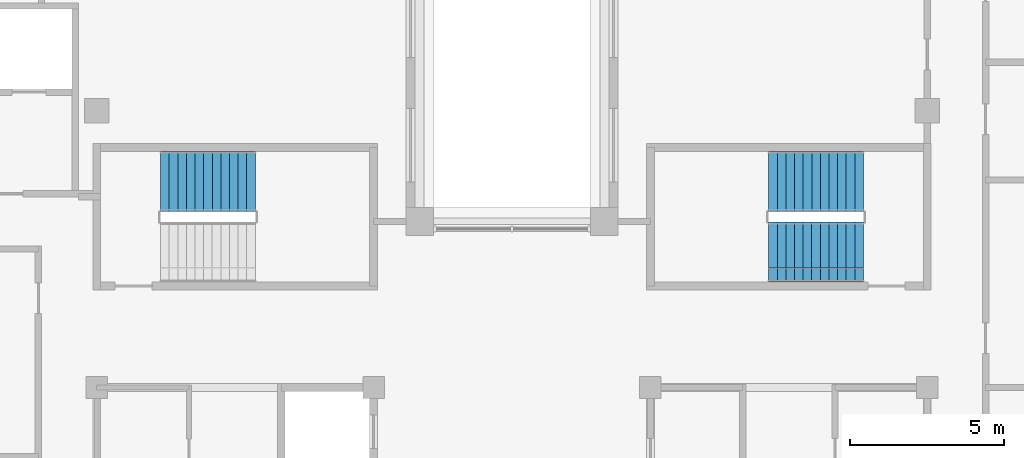
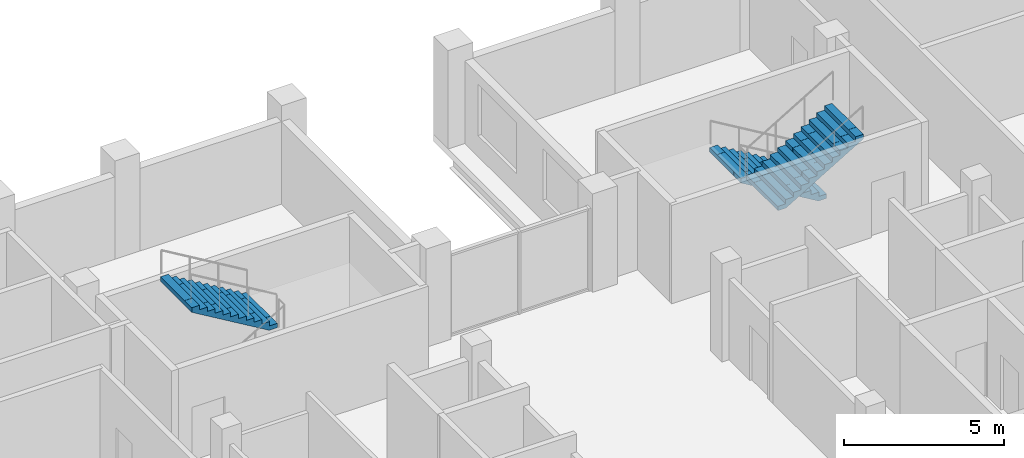
# One storey, part 12 of 13: 3 stair flights, 2 elements without a shape of their own.
"""IFC4 building model written with IfcOpenShell, lengths in metres."""

from ifc_helpers import new_model, si_unit, direction, frame, origin, place, context, subcontext, project, spatial, polyline, outline, extrude, material, type_object, element, aggregate, save


model = new_model("IFC4")

# Units and contexts
model_context = context("Model", 3, precision=1e-05, world=origin(), true_north=direction((0.0, 1.0)))
body_context = subcontext(model_context, "Body", "Model", "MODEL_VIEW")
ifc_project = project(units=[si_unit("LENGTHUNIT", "METRE"), si_unit("AREAUNIT", "SQUARE_METRE"), si_unit("VOLUMEUNIT", "CUBIC_METRE"), si_unit("PLANEANGLEUNIT", "RADIAN"), si_unit("MASSUNIT", "GRAM", prefix="KILO")], contexts=[model_context])

# Site, building, storey
site_placement = place(None, origin())
site = spatial("IfcSite", under=ifc_project, at=site_placement, CompositionType="ELEMENT")
building_placement = place(site_placement, origin())
building = spatial("IfcBuilding", under=site, at=building_placement, Name="Corbelhall Arena Tower", CompositionType="ELEMENT")
storey_placement = place(building_placement, frame((0.0, 0.0, 308.0)))
storey = spatial("IfcBuildingStorey", under=building, at=storey_placement, Name="L67", CompositionType="ELEMENT", Elevation=308.0)

# Stair, stair flight
ifc_material = material(Name="Concrete C40/50", Category="concrete")
stair_type = type_object("IfcStairType", Name="IN-ST-TOWER", PredefinedType="HALF_TURN_STAIR", material=ifc_material)
stair_1_placement = place(storey_placement, origin())
stair_1 = element("IfcStair", 1, at=stair_1_placement, inside=storey, type_object=stair_type, Name="L67 Exit stair ST1", PredefinedType="HALF_TURN_STAIR")
stair_flight_type = type_object("IfcStairFlightType", Name="IN-SFL-RC", PredefinedType="STRAIGHT", material=ifc_material)
stair_flight_1_placement = place(storey_placement, frame((-8.344970703125, 15.699951171875, 2.0), z_axis=(0.0, 0.0, 1.0), x_axis=(-1.0, 0.0, 0.0)))
stair_flight_1 = element("IfcStairFlight", 2, at=stair_flight_1_placement, type_object=stair_flight_type, Name="ST1 flight 2", NumberOfRisers=12, NumberOfTreads=11, PredefinedType="STRAIGHT", RiserHeight=0.166666667, TreadLength=0.28, context=body_context, shape_type="SweptSolid", body=[
    extrude(outline(polyline([(0.0, 0.0), (0.0, 0.166748046875), (0.280029296875, 0.166748046875), (0.280029296875, 0.333251953125), (0.56005859375, 0.333251953125), (0.56005859375, 0.5), (0.840087890625, 0.5), (0.840087890625, 0.666748046875), (1.1201171875, 0.666748046875), (1.1201171875, 0.833251953125), (1.39990234375, 0.833251953125), (1.39990234375, 1.0), (1.679931640625, 1.0), (1.679931640625, 1.166748046875), (1.9599609375, 1.166748046875), (1.9599609375, 1.333251953125), (2.239990234375, 1.333251953125), (2.239990234375, 1.5), (2.52001953125, 1.5), (2.52001953125, 1.666748046875), (2.800048828125, 1.666748046875), (2.800048828125, 1.833251953125), (3.080078125, 1.833251953125), (3.080078125, 2.0), (3.080078125, 1.658935546875), (0.29296875, 0.0), (0.0, 0.0)])), frame((0.0, 0.97509765625, 0.0), z_axis=(0.0, -1.0, 0.0), x_axis=(1.0, 0.0, 0.0)), (0.0, 0.0, 1.0), 0.449951171875),
    extrude(outline(polyline([(0.0, 0.0), (0.0, 0.166748046875), (0.280029296875, 0.166748046875), (0.280029296875, 0.333251953125), (0.56005859375, 0.333251953125), (0.56005859375, 0.5), (0.840087890625, 0.5), (0.840087890625, 0.666748046875), (1.1201171875, 0.666748046875), (1.1201171875, 0.833251953125), (1.39990234375, 0.833251953125), (1.39990234375, 1.0), (1.679931640625, 1.0), (1.679931640625, 1.166748046875), (1.9599609375, 1.166748046875), (1.9599609375, 1.333251953125), (2.239990234375, 1.333251953125), (2.239990234375, 1.5), (2.52001953125, 1.5), (2.52001953125, 1.666748046875), (2.800048828125, 1.666748046875), (2.800048828125, 1.833251953125), (3.080078125, 1.833251953125), (3.080078125, 2.0), (3.080078125, 1.658935546875), (0.29296875, 0.0), (0.0, 0.0)])), frame((0.0, 0.52099609375, 0.0), z_axis=(0.0, -1.0, 0.0), x_axis=(1.0, 0.0, 0.0)), (0.0, 0.0, 1.0), 1.0419921875),
    extrude(outline(polyline([(0.0, 0.0), (0.0, 0.166748046875), (0.280029296875, 0.166748046875), (0.280029296875, 0.333251953125), (0.56005859375, 0.333251953125), (0.56005859375, 0.5), (0.840087890625, 0.5), (0.840087890625, 0.666748046875), (1.1201171875, 0.666748046875), (1.1201171875, 0.833251953125), (1.39990234375, 0.833251953125), (1.39990234375, 1.0), (1.679931640625, 1.0), (1.679931640625, 1.166748046875), (1.9599609375, 1.166748046875), (1.9599609375, 1.333251953125), (2.239990234375, 1.333251953125), (2.239990234375, 1.5), (2.52001953125, 1.5), (2.52001953125, 1.666748046875), (2.800048828125, 1.666748046875), (2.800048828125, 1.833251953125), (3.080078125, 1.833251953125), (3.080078125, 2.0), (3.080078125, 1.658935546875), (0.29296875, 0.0), (0.0, 0.0)])), frame((0.0, -0.52490234375, 0.0), z_axis=(0.0, -1.0, 0.0), x_axis=(1.0, 0.0, 0.0)), (0.0, 0.0, 1.0), 0.449951171875),
])
aggregate(stair_1, [stair_flight_1])

# Stair, stair flights
stair_2_placement = place(storey_placement, origin())
stair_2 = element("IfcStair", 3, at=stair_2_placement, inside=storey, type_object=stair_type, Name="L67 Exit stair ST3", PredefinedType="HALF_TURN_STAIR")
stair_flight_2_placement = place(storey_placement, frame((11.425048828125, 15.699951171875, 0.0), z_axis=(0.0, 0.0, 1.0), x_axis=(-1.0, 0.0, 0.0)))
stair_flight_2 = element("IfcStairFlight", 4, at=stair_flight_2_placement, type_object=stair_flight_type, Name="ST3 flight 1", NumberOfRisers=12, NumberOfTreads=11, PredefinedType="STRAIGHT", RiserHeight=0.166666667, TreadLength=0.28, context=body_context, shape_type="SweptSolid", body=[
    extrude(outline(polyline([(0.0, 0.0), (0.0, 0.166748046875), (0.280029296875, 0.166748046875), (0.280029296875, 0.333251953125), (0.56005859375, 0.333251953125), (0.56005859375, 0.5), (0.840087890625, 0.5), (0.840087890625, 0.666748046875), (1.1201171875, 0.666748046875), (1.1201171875, 0.833251953125), (1.39990234375, 0.833251953125), (1.39990234375, 1.0), (1.679931640625, 1.0), (1.679931640625, 1.166748046875), (1.9599609375, 1.166748046875), (1.9599609375, 1.333251953125), (2.239990234375, 1.333251953125), (2.239990234375, 1.5), (2.52001953125, 1.5), (2.52001953125, 1.666748046875), (2.800048828125, 1.666748046875), (2.800048828125, 1.833251953125), (3.080078125, 1.833251953125), (3.080078125, 2.0), (3.080078125, 1.658935546875), (0.29296875, 0.0), (0.0, 0.0)])), frame((0.0, 0.97509765625, 0.0), z_axis=(0.0, -1.0, 0.0), x_axis=(1.0, 0.0, 0.0)), (0.0, 0.0, 1.0), 0.449951171875),
    extrude(outline(polyline([(0.0, 0.0), (0.0, 0.166748046875), (0.280029296875, 0.166748046875), (0.280029296875, 0.333251953125), (0.56005859375, 0.333251953125), (0.56005859375, 0.5), (0.840087890625, 0.5), (0.840087890625, 0.666748046875), (1.1201171875, 0.666748046875), (1.1201171875, 0.833251953125), (1.39990234375, 0.833251953125), (1.39990234375, 1.0), (1.679931640625, 1.0), (1.679931640625, 1.166748046875), (1.9599609375, 1.166748046875), (1.9599609375, 1.333251953125), (2.239990234375, 1.333251953125), (2.239990234375, 1.5), (2.52001953125, 1.5), (2.52001953125, 1.666748046875), (2.800048828125, 1.666748046875), (2.800048828125, 1.833251953125), (3.080078125, 1.833251953125), (3.080078125, 2.0), (3.080078125, 1.658935546875), (0.29296875, 0.0), (0.0, 0.0)])), frame((0.0, 0.52099609375, 0.0), z_axis=(0.0, -1.0, 0.0), x_axis=(1.0, 0.0, 0.0)), (0.0, 0.0, 1.0), 1.0419921875),
    extrude(outline(polyline([(0.0, 0.0), (0.0, 0.166748046875), (0.280029296875, 0.166748046875), (0.280029296875, 0.333251953125), (0.56005859375, 0.333251953125), (0.56005859375, 0.5), (0.840087890625, 0.5), (0.840087890625, 0.666748046875), (1.1201171875, 0.666748046875), (1.1201171875, 0.833251953125), (1.39990234375, 0.833251953125), (1.39990234375, 1.0), (1.679931640625, 1.0), (1.679931640625, 1.166748046875), (1.9599609375, 1.166748046875), (1.9599609375, 1.333251953125), (2.239990234375, 1.333251953125), (2.239990234375, 1.5), (2.52001953125, 1.5), (2.52001953125, 1.666748046875), (2.800048828125, 1.666748046875), (2.800048828125, 1.833251953125), (3.080078125, 1.833251953125), (3.080078125, 2.0), (3.080078125, 1.658935546875), (0.29296875, 0.0), (0.0, 0.0)])), frame((0.0, -0.52490234375, 0.0), z_axis=(0.0, -1.0, 0.0), x_axis=(1.0, 0.0, 0.0)), (0.0, 0.0, 1.0), 0.449951171875),
])
stair_flight_3_placement = place(storey_placement, frame((8.344970703125, 13.39990234375, 2.0), z_axis=(0.0, 0.0, 1.0), x_axis=(1.0, 0.0, 0.0)))
stair_flight_3 = element("IfcStairFlight", 5, at=stair_flight_3_placement, type_object=stair_flight_type, Name="ST3 flight 2", NumberOfRisers=12, NumberOfTreads=11, PredefinedType="STRAIGHT", RiserHeight=0.166666667, TreadLength=0.28, context=body_context, shape_type="SweptSolid", body=[
    extrude(outline(polyline([(0.0, 0.0), (0.0, 0.166748046875), (0.280029296875, 0.166748046875), (0.280029296875, 0.333251953125), (0.56005859375, 0.333251953125), (0.56005859375, 0.5), (0.840087890625, 0.5), (0.840087890625, 0.666748046875), (1.1201171875, 0.666748046875), (1.1201171875, 0.833251953125), (1.39990234375, 0.833251953125), (1.39990234375, 1.0), (1.679931640625, 1.0), (1.679931640625, 1.166748046875), (1.9599609375, 1.166748046875), (1.9599609375, 1.333251953125), (2.239990234375, 1.333251953125), (2.239990234375, 1.5), (2.52001953125, 1.5), (2.52001953125, 1.666748046875), (2.800048828125, 1.666748046875), (2.800048828125, 1.833251953125), (3.080078125, 1.833251953125), (3.080078125, 2.0), (3.080078125, 1.658935546875), (0.29296875, 0.0), (0.0, 0.0)])), frame((0.0, 0.97509765625, 0.0), z_axis=(0.0, -1.0, 0.0), x_axis=(1.0, 0.0, 0.0)), (0.0, 0.0, 1.0), 0.449951171875),
    extrude(outline(polyline([(0.0, 0.0), (0.0, 0.166748046875), (0.280029296875, 0.166748046875), (0.280029296875, 0.333251953125), (0.56005859375, 0.333251953125), (0.56005859375, 0.5), (0.840087890625, 0.5), (0.840087890625, 0.666748046875), (1.1201171875, 0.666748046875), (1.1201171875, 0.833251953125), (1.39990234375, 0.833251953125), (1.39990234375, 1.0), (1.679931640625, 1.0), (1.679931640625, 1.166748046875), (1.9599609375, 1.166748046875), (1.9599609375, 1.333251953125), (2.239990234375, 1.333251953125), (2.239990234375, 1.5), (2.52001953125, 1.5), (2.52001953125, 1.666748046875), (2.800048828125, 1.666748046875), (2.800048828125, 1.833251953125), (3.080078125, 1.833251953125), (3.080078125, 2.0), (3.080078125, 1.658935546875), (0.29296875, 0.0), (0.0, 0.0)])), frame((0.0, 0.52099609375, 0.0), z_axis=(0.0, -1.0, 0.0), x_axis=(1.0, 0.0, 0.0)), (0.0, 0.0, 1.0), 1.0419921875),
    extrude(outline(polyline([(0.0, 0.0), (0.0, 0.166748046875), (0.280029296875, 0.166748046875), (0.280029296875, 0.333251953125), (0.56005859375, 0.333251953125), (0.56005859375, 0.5), (0.840087890625, 0.5), (0.840087890625, 0.666748046875), (1.1201171875, 0.666748046875), (1.1201171875, 0.833251953125), (1.39990234375, 0.833251953125), (1.39990234375, 1.0), (1.679931640625, 1.0), (1.679931640625, 1.166748046875), (1.9599609375, 1.166748046875), (1.9599609375, 1.333251953125), (2.239990234375, 1.333251953125), (2.239990234375, 1.5), (2.52001953125, 1.5), (2.52001953125, 1.666748046875), (2.800048828125, 1.666748046875), (2.800048828125, 1.833251953125), (3.080078125, 1.833251953125), (3.080078125, 2.0), (3.080078125, 1.658935546875), (0.29296875, 0.0), (0.0, 0.0)])), frame((0.0, -0.52490234375, 0.0), z_axis=(0.0, -1.0, 0.0), x_axis=(1.0, 0.0, 0.0)), (0.0, 0.0, 1.0), 0.449951171875),
])
aggregate(stair_2, [stair_flight_2, stair_flight_3])

save(model, "model.ifc")
